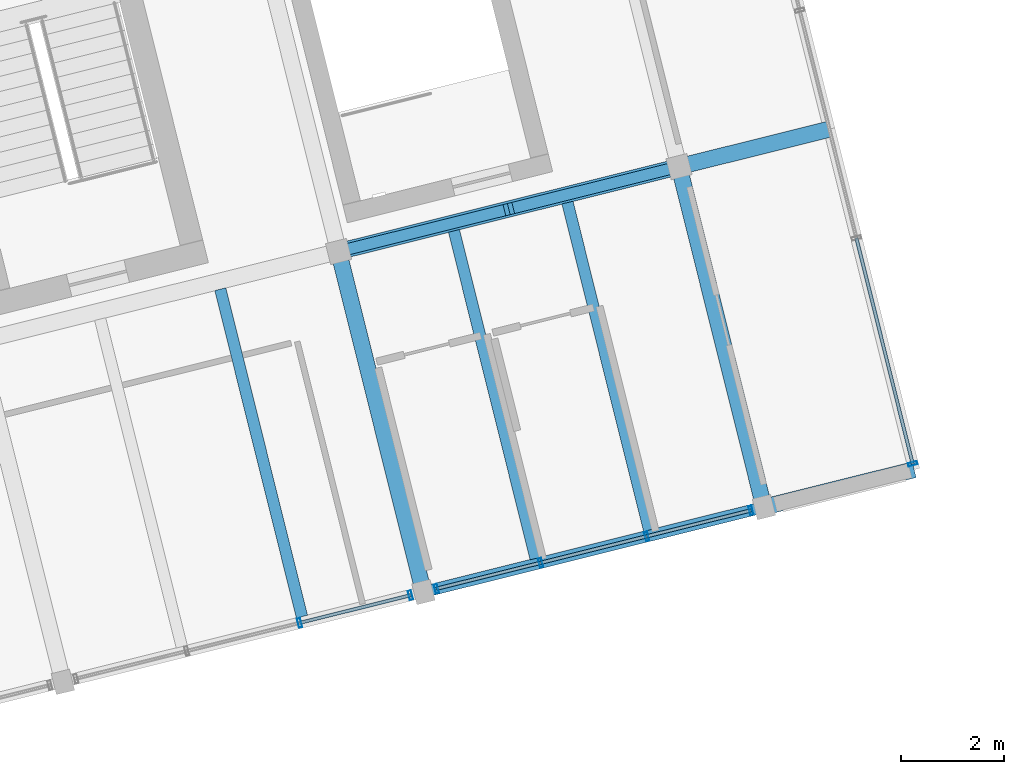
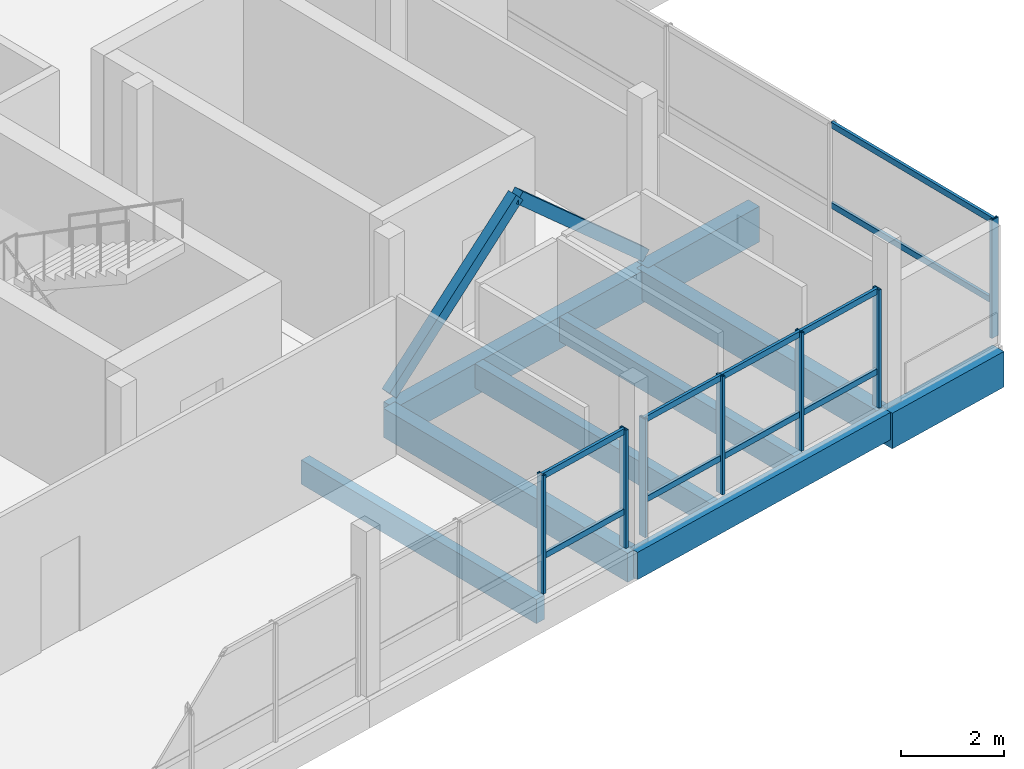
# One storey, part 11 of 28: 19 members, 9 beams, 3 elements without a shape of their own.
"""IFC4 building model written with IfcOpenShell, lengths in metres."""

import ifcopenshell
import ifcopenshell.guid

model = None  # the IFC model being written
_history = None  # IfcOwnerHistory: only IFC2X3 demands one
_inside = {}  # id of a spatial element -> (the spatial element, [elements in it])
_under = {}  # id of a project, library or spatial element -> (it, [spatial elements below it])
_declared = {}  # id of a project -> (the project, [libraries it declares])
_typed = {}  # id of a type object -> (the type object, [elements of that type])
_made_of = {}  # id of a material, layer set ... -> (it, [elements and type objects made of it])


def new_model(schema):
    """Start an empty IFC model of exactly this schema.

    Asked for "IFC4X3", IfcOpenShell would pick the latest addendum, in which some entities
    have other attributes; the version numbers below select the first issue.
    IFC2X3 requires an IfcOwnerHistory on every rooted entity: one is made here for all.
    """
    global model, _history
    if schema == "IFC4X3":
        model = ifcopenshell.file(schema_version=(4, 3, 0, 0))
    else:
        model = ifcopenshell.file(schema=schema)
    _inside.clear()
    _under.clear()
    _declared.clear()
    _typed.clear()
    _made_of.clear()
    _history = None
    if model.schema == "IFC2X3":
        org = make("IfcOrganization", Name="unknown")
        user = make(
            "IfcPersonAndOrganization",
            ThePerson=make("IfcPerson", FamilyName="unknown"),
            TheOrganization=org,
        )
        app = make(
            "IfcApplication",
            ApplicationDeveloper=org,
            Version="unknown",
            ApplicationFullName="unknown",
            ApplicationIdentifier="unknown",
        )
        _history = make(
            "IfcOwnerHistory",
            OwningUser=user,
            OwningApplication=app,
            ChangeAction="ADDED",
            CreationDate=0,
        )
    return model


def make(cls, **values):
    """One entity of the class cls with the attributes given. An attribute that is None is left unset."""
    return model.create_entity(
        cls, **{name: value for name, value in values.items() if value is not None}
    )


def rooted(cls, **values):
    """An entity with a GlobalId (a new one), such as an element, a storey or a relation."""
    return make(cls, GlobalId=ifcopenshell.guid.new(), OwnerHistory=_history, **values)


def si_unit(unit_type, name, prefix=None):
    """IfcSIUnit, for example si_unit("LENGTHUNIT", "METRE", prefix="MILLI")."""
    return make("IfcSIUnit", UnitType=unit_type, Prefix=prefix, Name=name)


def assignment(units):
    """IfcUnitAssignment: the units of a project."""
    return None if units is None else make("IfcUnitAssignment", Units=units)


def point(xyz):
    """IfcCartesianPoint."""
    return None if xyz is None else make("IfcCartesianPoint", Coordinates=xyz)


def direction(xyz):
    """IfcDirection."""
    return None if xyz is None else make("IfcDirection", DirectionRatios=xyz)


def frame(location, z_axis=None, x_axis=None):
    """IfcAxis2Placement3D, a coordinate frame: its origin and axes. An axis left out is left unset."""
    return make(
        "IfcAxis2Placement3D",
        Location=point(location),
        Axis=direction(z_axis),
        RefDirection=direction(x_axis),
    )


def frame_2d(location, x_axis=None):
    """IfcAxis2Placement2D, a coordinate frame in the plane: its origin and x axis."""
    return make(
        "IfcAxis2Placement2D", Location=point(location), RefDirection=direction(x_axis)
    )


def origin():
    """The frame at (0, 0, 0) with its axes left unset."""
    return frame((0.0, 0.0, 0.0))


def origin_2d():
    """The frame at (0, 0) in the plane with its x axis left unset."""
    return frame_2d((0.0, 0.0))


def place(relative_to, where):
    """IfcLocalPlacement: puts the frame where relative to a parent placement (None: the world)."""
    return make(
        "IfcLocalPlacement", PlacementRelTo=relative_to, RelativePlacement=where
    )


def context(
    kind, dimensions, precision=None, world=None, true_north=None, identifier=None
):
    """IfcGeometricRepresentationContext, for example the 3D "Model" context."""
    return make(
        "IfcGeometricRepresentationContext",
        ContextIdentifier=identifier,
        ContextType=kind,
        CoordinateSpaceDimension=dimensions,
        Precision=precision,
        WorldCoordinateSystem=world,
        TrueNorth=true_north,
    )


def subcontext(parent, identifier, kind, view, scale=None):
    """IfcGeometricRepresentationSubContext, for example "Body" below "Model"."""
    return make(
        "IfcGeometricRepresentationSubContext",
        ContextIdentifier=identifier,
        ContextType=kind,
        ParentContext=parent,
        TargetScale=scale,
        TargetView=view,
    )


def project(units=None, contexts=None):
    """IfcProject with its units and contexts."""
    return rooted(
        "IfcProject",
        Name="project",
        RepresentationContexts=contexts,
        UnitsInContext=assignment(units),
    )


def spatial(cls, under=None, at=None, **own):
    """A site, building, storey or space (cls), placed at a placement, below another one or the project."""
    s = rooted(cls, ObjectPlacement=at, **own)
    if under is not None:
        _under.setdefault(under.id(), (under, []))[1].append(s)
    return s


def profile(cls, at=None, kind="AREA", **sizes):
    """A parametric profile (cls). Its sizes go by their IFC names, for example OverallWidth=200.0."""
    return make(cls, ProfileType=kind, Position=at, **sizes)


def rectangle(**sizes):
    """IfcRectangleProfileDef."""
    return profile("IfcRectangleProfileDef", **sizes)


def hollow_rectangle(**sizes):
    """IfcRectangleHollowProfileDef."""
    return profile("IfcRectangleHollowProfileDef", **sizes)


def extrude(swept, where, along, depth):
    """IfcExtrudedAreaSolid: the profile swept, set in the frame where, extruded along a direction by depth."""
    return make(
        "IfcExtrudedAreaSolid",
        SweptArea=swept,
        Position=where,
        ExtrudedDirection=direction(along),
        Depth=depth,
    )


def shape(context_of_items, identifier, shape_type, items):
    """IfcShapeRepresentation: the items that make up one representation, for example the "Body"."""
    return make(
        "IfcShapeRepresentation",
        ContextOfItems=context_of_items,
        RepresentationIdentifier=identifier,
        RepresentationType=shape_type,
        Items=items,
    )


def material(Name=None, Category=None):
    """IfcMaterial."""
    return make("IfcMaterial", Name=Name, Category=Category)


def layer(
    of_material, thickness, ventilated=None, Name=None, Category=None, Priority=None
):
    """IfcMaterialLayer: one layer of a wall or slab, of a material (None: an air gap)."""
    return make(
        "IfcMaterialLayer",
        Material=of_material,
        LayerThickness=thickness,
        IsVentilated=ventilated,
        Name=Name,
        Category=Category,
        Priority=Priority,
    )


def layer_set(layers, Name=None):
    """IfcMaterialLayerSet."""
    return make("IfcMaterialLayerSet", MaterialLayers=layers, LayerSetName=Name)


def material_profile(
    of_material, cross_section, Name=None, Category=None, Priority=None
):
    """IfcMaterialProfile: a cross section and its material."""
    return make(
        "IfcMaterialProfile",
        Name=Name,
        Material=of_material,
        Profile=cross_section,
        Priority=Priority,
        Category=Category,
    )


def profile_set(profiles, Name=None, composite=None):
    """IfcMaterialProfileSet."""
    return make(
        "IfcMaterialProfileSet",
        Name=Name,
        MaterialProfiles=profiles,
        CompositeProfile=composite,
    )


def made_of(thing, what):
    """Note that an element or type object is made of a material, layer set ...; save() writes the relation."""
    if what is not None:
        _made_of.setdefault(what.id(), (what, []))[1].append(thing)
    return thing


def type_object(cls, material=None, **own):
    """A type object (cls), such as IfcWallType, which elements share."""
    return made_of(rooted(cls, **own), material)


def element(
    cls,
    number,
    at=None,
    inside=None,
    cuts=None,
    type_object=None,
    material=None,
    context=None,
    identifier="Body",
    shape_type=None,
    held_by="IfcProductDefinitionShape",
    body=None,
    shapes=None,
    **own,
):
    """One element of the class cls, such as IfcWall. Its Tag is "e" and its number.

    at: its placement. inside: the storey or other place that contains it. cuts: it is an
    opening in that element (IfcRelVoidsElement). A single representation is given by context,
    identifier, shape_type and body (its items); several are given by shapes. held_by: the class
    of the entity that holds the representations. save() writes the other relations.
    """
    e = rooted(cls, Tag="e%d" % number, ObjectPlacement=at, **own)
    if body is not None:
        shapes = [shape(context, identifier, shape_type, body)]
    if shapes is not None:
        e.Representation = make(held_by, Representations=shapes)
    if inside is not None:
        _inside.setdefault(inside.id(), (inside, []))[1].append(e)
    if cuts is not None:
        rooted(
            "IfcRelVoidsElement", RelatingBuildingElement=cuts, RelatedOpeningElement=e
        )
    if type_object is not None:
        _typed.setdefault(type_object.id(), (type_object, []))[1].append(e)
    return made_of(e, material)


def aggregate(whole, parts):
    """IfcRelAggregates: a whole, such as a stair, and the parts it consists of."""
    return rooted("IfcRelAggregates", RelatingObject=whole, RelatedObjects=parts)


def save(model, path):
    """Write the relations noted so far, then the file.

    IfcRelAggregates (storeys below a building ...), IfcRelContainedInSpatialStructure (elements
    in a storey), IfcRelDefinesByType, IfcRelAssociatesMaterial and IfcRelDeclares: one each for
    every whole, place, type object, material and project.
    """
    for whole, parts in _under.values():
        aggregate(whole, parts)
    for where, things in _inside.values():
        rooted(
            "IfcRelContainedInSpatialStructure",
            RelatedElements=things,
            RelatingStructure=where,
        )
    for kind, things in _typed.values():
        rooted("IfcRelDefinesByType", RelatedObjects=things, RelatingType=kind)
    for what, things in _made_of.values():
        rooted("IfcRelAssociatesMaterial", RelatedObjects=things, RelatingMaterial=what)
    for by, libraries in _declared.values():
        rooted("IfcRelDeclares", RelatingContext=by, RelatedDefinitions=libraries)
    model.write(path)


model = new_model("IFC4")

# Units and contexts
model_context = context("Model", 3, precision=1e-05, world=origin(), true_north=direction((0.0, 1.0)))
body_context = subcontext(model_context, "Body", "Model", "MODEL_VIEW")
ifc_project = project(units=[si_unit("LENGTHUNIT", "METRE"), si_unit("AREAUNIT", "SQUARE_METRE"), si_unit("VOLUMEUNIT", "CUBIC_METRE"), si_unit("PLANEANGLEUNIT", "RADIAN"), si_unit("MASSUNIT", "GRAM", prefix="KILO")], contexts=[model_context])

# Site, building, storey
site_placement = place(None, origin())
site = spatial("IfcSite", under=ifc_project, at=site_placement, CompositionType="ELEMENT")
building_placement = place(site_placement, origin())
building = spatial("IfcBuilding", under=site, at=building_placement, Name="Meriwether Solvik Hall", CompositionType="ELEMENT")
storey_placement = place(building_placement, frame((0.0, 0.0, 30.0)))
storey = spatial("IfcBuildingStorey", under=building, at=storey_placement, Name="L07", CompositionType="ELEMENT", Elevation=30.0)

# Beams
ifc_material_1 = material(Name="Glulam Douglas-Fir 24F-V8 GL28h", Category="wood")
ifc_material_profile_1 = material_profile(ifc_material_1, rectangle(XDim=0.221923828125, YDim=0.64501953125, at=origin_2d()), Name="GLB-222X645")
ifc_profile_set_1 = profile_set([ifc_material_profile_1], Name="Glulam Douglas-Fir 24F-V8 GL28h")
beam_type_1 = type_object("IfcBeamType", Name="BM-GL-222X645", PredefinedType="SPANDREL", material=ifc_profile_set_1)
beam_1_placement = place(storey_placement, frame((96.9326171875, 48.26416015625, -0.54248046875), z_axis=(0.970298579828, 0.24191045034, 0.0), x_axis=(-0.24191045034, 0.970298579828, 0.0)))
element("IfcBeam", 1, at=beam_1_placement, inside=storey, type_object=beam_type_1, Name="Tower Girder TA:T5-T6 (L07)", PredefinedType="SPANDREL", context=body_context, shape_type="SweptSolid", body=[
    extrude(rectangle(XDim=0.221923828125, YDim=0.64501953125, at=origin_2d()), origin(), (0.0, 0.0, 1.0), 6.800048828125),
])
ifc_material_2 = material(Name="Glulam Douglas-Fir 24F-V8 GL28h", Category="wood")
ifc_material_profile_2 = material_profile(ifc_material_2, rectangle(XDim=0.31494140625, YDim=0.68505859375, at=origin_2d()), Name="GLB-315X685")
ifc_profile_set_2 = profile_set([ifc_material_profile_2], Name="Glulam Douglas-Fir 24F-V8 GL28h")
beam_type_2 = type_object("IfcBeamType", Name="BM-GL-315X685", PredefinedType="BEAM", material=ifc_profile_set_2)
beam_2_placement = place(storey_placement, frame((96.9326171875, 48.26416015625, -0.5625), z_axis=(-0.241918877831, 0.970296478685, 0.0), x_axis=(-0.970296478685, -0.241918877831, 0.0)))
element("IfcBeam", 2, at=beam_2_placement, inside=storey, type_object=beam_type_2, Name="Tower Girder T5:TA-TB (L07)", PredefinedType="BEAM", context=body_context, shape_type="SweptSolid", body=[
    extrude(rectangle(XDim=0.31494140625, YDim=0.68505859375, at=origin_2d()), origin(), (0.0, 0.0, 1.0), 6.7998046875),
])
beam_3_placement = place(storey_placement, frame((103.53076171875, 49.9091796875, -0.5625), z_axis=(-0.2419526798, 0.970288050394, 0.0), x_axis=(-0.970288050394, -0.2419526798, 0.0)))
element("IfcBeam", 3, at=beam_3_placement, inside=storey, type_object=beam_type_2, Name="Tower Girder T6:TA-TB (L07)", PredefinedType="BEAM", context=body_context, shape_type="SweptSolid", body=[
    extrude(rectangle(XDim=0.31494140625, YDim=0.68505859375, at=origin_2d()), origin(), (0.0, 0.0, 1.0), 6.800048828125),
])
ifc_material_3 = material(Name="Glulam Douglas-Fir 24F-V8 GL28h", Category="wood")
ifc_material_profile_3 = material_profile(ifc_material_3, rectangle(XDim=0.31494140625, YDim=0.760009765625, at=origin_2d()), Name="GLB-315X760")
ifc_profile_set_3 = profile_set([ifc_material_profile_3], Name="Glulam Douglas-Fir 24F-V8 GL28h")
beam_type_3 = type_object("IfcBeamType", Name="BM-GL-315X760", PredefinedType="BEAM", material=ifc_profile_set_3)
beam_4_placement = place(storey_placement, frame((95.28759765625, 54.862060546875, -0.60009765625), z_axis=(0.970296478685, 0.241918877831, 0.0), x_axis=(-0.241918877831, 0.970296478685, 0.0)))
element("IfcBeam", 4, at=beam_4_placement, inside=storey, type_object=beam_type_3, Name="Tower Girder TB:T5-T6 (L07)", PredefinedType="BEAM", context=body_context, shape_type="SweptSolid", body=[
    extrude(rectangle(XDim=0.31494140625, YDim=0.760009765625, at=origin_2d()), origin(), (0.0, 0.0, 1.0), 6.7998046875),
])

# Curtain wall, members
ifc_material_4 = material(Name="Thermally Broken Anodised Aluminium 6063-T6 and Low-E Glass", Category="aluminium")
ifc_layer_1 = layer(ifc_material_4, 0.179931640625)
ifc_layer_set_1 = layer_set([ifc_layer_1], Name="Thermally Broken Anodised Aluminium 6063-T6 and Low-E Glass")
curtain_wall_type_1 = type_object("IfcCurtainWallType", Name="CW-UNIT-A", PredefinedType="USERDEFINED", material=ifc_layer_set_1)
curtain_wall_1_placement = place(storey_placement, origin())
curtain_wall_1 = element("IfcCurtainWall", 5, at=curtain_wall_1_placement, inside=storey, type_object=curtain_wall_type_1, Name="Curtain Wall E0_B3 (L07)", ObjectType="UNITISED CURTAIN WALL", PredefinedType="USERDEFINED")
ifc_material_5 = material(Name="Anodised Aluminium 6063-T6", Category="aluminium")
ifc_material_profile_4 = material_profile(ifc_material_5, hollow_rectangle(XDim=0.06494140625, YDim=0.179931640625, WallThickness=0.00439453125, at=origin_2d()), Name="CWM-65X180")
ifc_profile_set_4 = profile_set([ifc_material_profile_4], Name="Anodised Aluminium 6063-T6")
member_type_1 = type_object("IfcMemberType", Name="CW-MUL-65X180", PredefinedType="MULLION", material=ifc_profile_set_4)
member_1_placement = place(storey_placement, frame((96.680419921875, 48.201171875, 0.0), z_axis=(0.0, 0.0, 1.0), x_axis=(-0.970295703518, -0.241921986879, 0.0)))
member_1 = element("IfcMember", 6, at=member_1_placement, type_object=member_type_1, Name="Curtain Wall Mullion 1", PredefinedType="MULLION", context=body_context, shape_type="SweptSolid", body=[
    extrude(hollow_rectangle(XDim=0.06494140625, YDim=0.179931640625, WallThickness=0.00439453125, at=origin_2d()), origin(), (0.0, 0.0, 1.0), 2.7900390625),
])
member_2_placement = place(storey_placement, frame((94.5322265625, 47.66552734375, 0.0), z_axis=(0.0, 0.0, 1.0), x_axis=(-0.970295703518, -0.241921986879, 0.0)))
member_2 = element("IfcMember", 7, at=member_2_placement, type_object=member_type_1, Name="Curtain Wall Mullion 2", PredefinedType="MULLION", context=body_context, shape_type="SweptSolid", body=[
    extrude(hollow_rectangle(XDim=0.06494140625, YDim=0.179931640625, WallThickness=0.00439453125, at=origin_2d()), origin(), (0.0, 0.0, 1.0), 2.7900390625),
])

ifc_material_6 = material(Name="Thermally Broken Anodised Aluminium 6063-T6 and Low-E Glass", Category="aluminium")
ifc_layer_2 = layer(ifc_material_6, 0.179931640625)
ifc_layer_set_2 = layer_set([ifc_layer_2], Name="Thermally Broken Anodised Aluminium 6063-T6 and Low-E Glass")
curtain_wall_type_2 = type_object("IfcCurtainWallType", Name="CW-UNIT-B", PredefinedType="USERDEFINED", material=ifc_layer_set_2)
curtain_wall_2_placement = place(storey_placement, origin())
curtain_wall_2 = element("IfcCurtainWall", 8, at=curtain_wall_2_placement, inside=storey, type_object=curtain_wall_type_2, Name="Curtain Wall E0_B4 (L07)", ObjectType="UNITISED CURTAIN WALL", PredefinedType="USERDEFINED")
member_3_placement = place(storey_placement, frame((103.2783203125, 49.84619140625, 0.0), z_axis=(0.0, 0.0, 1.0), x_axis=(-0.97029570448, -0.241921983017, 0.0)))
member_3 = element("IfcMember", 9, at=member_3_placement, type_object=member_type_1, Name="Curtain Wall Mullion 1", PredefinedType="MULLION", context=body_context, shape_type="SweptSolid", body=[
    extrude(hollow_rectangle(XDim=0.06494140625, YDim=0.179931640625, WallThickness=0.00439453125, at=origin_2d()), origin(), (0.0, 0.0, 1.0), 2.7900390625),
])
member_4_placement = place(storey_placement, frame((101.259521484375, 49.343017578125, 0.0), z_axis=(0.0, 0.0, 1.0), x_axis=(-0.97029570448, -0.241921983017, 0.0)))
member_4 = element("IfcMember", 10, at=member_4_placement, type_object=member_type_1, Name="Curtain Wall Mullion 2", PredefinedType="MULLION", context=body_context, shape_type="SweptSolid", body=[
    extrude(hollow_rectangle(XDim=0.06494140625, YDim=0.179931640625, WallThickness=0.00439453125, at=origin_2d()), origin(), (0.0, 0.0, 1.0), 2.7900390625),
])
member_5_placement = place(storey_placement, frame((99.203857421875, 48.830322265625, 0.0), z_axis=(0.0, 0.0, 1.0), x_axis=(-0.97029570448, -0.241921983017, 0.0)))
member_5 = element("IfcMember", 11, at=member_5_placement, type_object=member_type_1, Name="Curtain Wall Mullion 3", PredefinedType="MULLION", context=body_context, shape_type="SweptSolid", body=[
    extrude(hollow_rectangle(XDim=0.06494140625, YDim=0.179931640625, WallThickness=0.00439453125, at=origin_2d()), origin(), (0.0, 0.0, 1.0), 2.7900390625),
])
member_6_placement = place(storey_placement, frame((97.184814453125, 48.326904296875, 0.0), z_axis=(0.0, 0.0, 1.0), x_axis=(-0.97029570448, -0.241921983017, 0.0)))
member_6 = element("IfcMember", 12, at=member_6_placement, type_object=member_type_1, Name="Curtain Wall Mullion 4", PredefinedType="MULLION", context=body_context, shape_type="SweptSolid", body=[
    extrude(hollow_rectangle(XDim=0.06494140625, YDim=0.179931640625, WallThickness=0.00439453125, at=origin_2d()), origin(), (0.0, 0.0, 1.0), 2.7900390625),
])

# Curtain wall, member
ifc_material_7 = material(Name="Thermally Broken Anodised Aluminium 6063-T6 and Low-E Glass", Category="aluminium")
ifc_layer_3 = layer(ifc_material_7, 0.179931640625)
ifc_layer_set_3 = layer_set([ifc_layer_3], Name="Thermally Broken Anodised Aluminium 6063-T6 and Low-E Glass")
curtain_wall_type_3 = type_object("IfcCurtainWallType", Name="CW-UNIT-F", PredefinedType="USERDEFINED", material=ifc_layer_set_3)
curtain_wall_3_placement = place(storey_placement, origin())
curtain_wall_3 = element("IfcCurtainWall", 13, at=curtain_wall_3_placement, inside=storey, type_object=curtain_wall_type_3, Name="Curtain Wall E1_B0 (L07)", ObjectType="UNITISED CURTAIN WALL", PredefinedType="USERDEFINED")
member_7_placement = place(storey_placement, frame((106.4130859375, 50.74951171875, 0.0), z_axis=(0.0, 0.0, 1.0), x_axis=(0.241921931502, -0.970295717325, 0.0)))
member_7 = element("IfcMember", 14, at=member_7_placement, type_object=member_type_1, Name="Curtain Wall Mullion 4", PredefinedType="MULLION", context=body_context, shape_type="SweptSolid", body=[
    extrude(hollow_rectangle(XDim=0.06494140625, YDim=0.179931640625, WallThickness=0.00439453125, at=origin_2d()), origin(), (0.0, 0.0, 1.0), 2.7900390625),
])

# Member
ifc_material_8 = material(Name="Anodised Aluminium 6063-T6", Category="aluminium")
ifc_material_profile_5 = material_profile(ifc_material_8, hollow_rectangle(XDim=0.06494140625, YDim=0.139892578125, WallThickness=0.00439453125, at=origin_2d()), Name="CWT-65X140")
ifc_profile_set_5 = profile_set([ifc_material_profile_5], Name="Anodised Aluminium 6063-T6")
member_type_2 = type_object("IfcMemberType", Name="CW-TRN-65X140", PredefinedType="USERDEFINED", material=ifc_profile_set_5)
member_8_placement = place(storey_placement, frame((96.680419921875, 48.201171875, 0.8369140625), z_axis=(-0.970291509385, -0.241938808, 0.0), x_axis=(0.241938808, -0.970291509385, 0.0)))
member_8 = element("IfcMember", 15, at=member_8_placement, type_object=member_type_2, Name="Curtain Wall Transom 1-sill", ObjectType="TRANSOM", PredefinedType="USERDEFINED", context=body_context, shape_type="SweptSolid", body=[
    extrude(hollow_rectangle(XDim=0.06494140625, YDim=0.139892578125, WallThickness=0.00439453125, at=origin_2d()), origin(), (0.0, 0.0, 1.0), 2.2138671875),
])

member_9_placement = place(storey_placement, frame((96.680419921875, 48.201171875, 2.72998046875), z_axis=(-0.970291509385, -0.241938808, 0.0), x_axis=(0.241938808, -0.970291509385, 0.0)))
member_9 = element("IfcMember", 16, at=member_9_placement, type_object=member_type_2, Name="Curtain Wall Transom 1-head", ObjectType="TRANSOM", PredefinedType="USERDEFINED", context=body_context, shape_type="SweptSolid", body=[
    extrude(hollow_rectangle(XDim=0.06494140625, YDim=0.139892578125, WallThickness=0.00439453125, at=origin_2d()), origin(), (0.0, 0.0, 1.0), 2.2138671875),
])

aggregate(curtain_wall_1, [member_1, member_2, member_8, member_9])

member_10_placement = place(storey_placement, frame((103.2783203125, 49.84619140625, 0.8369140625), z_axis=(-0.970314818809, -0.241845306756, 0.0), x_axis=(0.241845306756, -0.970314818809, 0.0)))
member_10 = element("IfcMember", 17, at=member_10_placement, type_object=member_type_2, Name="Curtain Wall Transom 1-sill", ObjectType="TRANSOM", PredefinedType="USERDEFINED", context=body_context, shape_type="SweptSolid", body=[
    extrude(hollow_rectangle(XDim=0.06494140625, YDim=0.139892578125, WallThickness=0.00439453125, at=origin_2d()), origin(), (0.0, 0.0, 1.0), 2.08056640625),
])

member_11_placement = place(storey_placement, frame((103.2783203125, 49.84619140625, 2.72998046875), z_axis=(-0.970314818809, -0.241845306756, 0.0), x_axis=(0.241845306756, -0.970314818809, 0.0)))
member_11 = element("IfcMember", 18, at=member_11_placement, type_object=member_type_2, Name="Curtain Wall Transom 1-head", ObjectType="TRANSOM", PredefinedType="USERDEFINED", context=body_context, shape_type="SweptSolid", body=[
    extrude(hollow_rectangle(XDim=0.06494140625, YDim=0.139892578125, WallThickness=0.00439453125, at=origin_2d()), origin(), (0.0, 0.0, 1.0), 2.08056640625),
])

member_12_placement = place(storey_placement, frame((101.259521484375, 49.343017578125, 0.8369140625), z_axis=(-0.970277919064, -0.24199330523, 0.0), x_axis=(0.24199330523, -0.970277919064, 0.0)))
member_12 = element("IfcMember", 19, at=member_12_placement, type_object=member_type_2, Name="Curtain Wall Transom 2-sill", ObjectType="TRANSOM", PredefinedType="USERDEFINED", context=body_context, shape_type="SweptSolid", body=[
    extrude(hollow_rectangle(XDim=0.06494140625, YDim=0.139892578125, WallThickness=0.00439453125, at=origin_2d()), origin(), (0.0, 0.0, 1.0), 2.11865234375),
])

member_13_placement = place(storey_placement, frame((101.259521484375, 49.343017578125, 2.72998046875), z_axis=(-0.970277919064, -0.24199330523, 0.0), x_axis=(0.24199330523, -0.970277919064, 0.0)))
member_13 = element("IfcMember", 20, at=member_13_placement, type_object=member_type_2, Name="Curtain Wall Transom 2-head", ObjectType="TRANSOM", PredefinedType="USERDEFINED", context=body_context, shape_type="SweptSolid", body=[
    extrude(hollow_rectangle(XDim=0.06494140625, YDim=0.139892578125, WallThickness=0.00439453125, at=origin_2d()), origin(), (0.0, 0.0, 1.0), 2.11865234375),
])

member_14_placement = place(storey_placement, frame((99.203857421875, 48.830322265625, 0.8369140625), z_axis=(-0.970294144957, -0.241928237836, 0.0), x_axis=(0.241928237836, -0.970294144957, 0.0)))
member_14 = element("IfcMember", 21, at=member_14_placement, type_object=member_type_2, Name="Curtain Wall Transom 3-sill", ObjectType="TRANSOM", PredefinedType="USERDEFINED", context=body_context, shape_type="SweptSolid", body=[
    extrude(hollow_rectangle(XDim=0.06494140625, YDim=0.139892578125, WallThickness=0.00439453125, at=origin_2d()), origin(), (0.0, 0.0, 1.0), 2.080810546875),
])

member_15_placement = place(storey_placement, frame((99.203857421875, 48.830322265625, 2.72998046875), z_axis=(-0.970294144957, -0.241928237836, 0.0), x_axis=(0.241928237836, -0.970294144957, 0.0)))
member_15 = element("IfcMember", 22, at=member_15_placement, type_object=member_type_2, Name="Curtain Wall Transom 3-head", ObjectType="TRANSOM", PredefinedType="USERDEFINED", context=body_context, shape_type="SweptSolid", body=[
    extrude(hollow_rectangle(XDim=0.06494140625, YDim=0.139892578125, WallThickness=0.00439453125, at=origin_2d()), origin(), (0.0, 0.0, 1.0), 2.080810546875),
])

aggregate(curtain_wall_2, [member_3, member_4, member_5, member_6, member_10, member_11, member_12, member_13, member_14, member_15])

member_16_placement = place(storey_placement, frame((105.322265625, 55.124267578125, 0.8369140625), z_axis=(0.241936757011, -0.970292020789, 0.0), x_axis=(0.970292020789, 0.241936757011, 0.0)))
member_16 = element("IfcMember", 23, at=member_16_placement, type_object=member_type_2, Name="Curtain Wall Transom 3-sill", ObjectType="TRANSOM", PredefinedType="USERDEFINED", context=body_context, shape_type="SweptSolid", body=[
    extrude(hollow_rectangle(XDim=0.06494140625, YDim=0.139892578125, WallThickness=0.00439453125, at=origin_2d()), origin(), (0.0, 0.0, 1.0), 4.5087890625),
])

member_17_placement = place(storey_placement, frame((105.322265625, 55.124267578125, 2.72998046875), z_axis=(0.241936757011, -0.970292020789, 0.0), x_axis=(0.970292020789, 0.241936757011, 0.0)))
member_17 = element("IfcMember", 24, at=member_17_placement, type_object=member_type_2, Name="Curtain Wall Transom 3-head", ObjectType="TRANSOM", PredefinedType="USERDEFINED", context=body_context, shape_type="SweptSolid", body=[
    extrude(hollow_rectangle(XDim=0.06494140625, YDim=0.139892578125, WallThickness=0.00439453125, at=origin_2d()), origin(), (0.0, 0.0, 1.0), 4.5087890625),
])

aggregate(curtain_wall_3, [member_7, member_16, member_17])

# Beams
ifc_material_9 = material(Name="Glulam Douglas-Fir 24F-V8 GL28h", Category="wood")
ifc_material_profile_6 = material_profile(ifc_material_9, rectangle(XDim=0.31494140625, YDim=0.840087890625, at=origin_2d()), Name="GLB-315X840")
ifc_profile_set_6 = profile_set([ifc_material_profile_6], Name="Glulam Douglas-Fir 24F-V8 GL28h")
beam_type_4 = type_object("IfcBeamType", Name="GL-CANT-315X840", PredefinedType="BEAM", material=ifc_profile_set_6)
for number, where, z_axis, x_axis, name in (
    (25, (103.53076171875, 49.9091796875, -0.639892578125), (0.970290716908, 0.241941986192, 0.0), (-0.241941986192, 0.970290716908, 0.0), "Shard Cantilever Girder TA (L07)"),
    (26, (101.885498046875, 56.507080078125, -0.639892578125), (0.970290716908, 0.241941986192, 0.0), (-0.241941986192, 0.970290716908, 0.0), "Shard Cantilever Girder TB (L07)"),
):
    element("IfcBeam", number, at=place(storey_placement, frame(where, z_axis=z_axis, x_axis=x_axis)), inside=storey, type_object=beam_type_4, Name=name, PredefinedType="BEAM", context=body_context, shape_type="SweptSolid", body=[
        extrude(rectangle(XDim=0.31494140625, YDim=0.840087890625, at=origin_2d()), origin(), (0.0, 0.0, 1.0), 3.0),
    ])
ifc_material_10 = material(Name="Glulam Douglas-Fir 24F-V8 GL28h", Category="wood")
ifc_material_profile_7 = material_profile(ifc_material_10, rectangle(XDim=0.221923828125, YDim=0.570068359375, at=origin_2d()), Name="GLJ-222X570")
ifc_profile_set_7 = profile_set([ifc_material_profile_7], Name="Glulam Douglas-Fir 24F-V8 GL28h")
beam_type_5 = type_object("IfcBeamType", Name="JST-GL-222X570", PredefinedType="JOIST", material=ifc_profile_set_7)
for number, where, z_axis, x_axis, name in (
    (27, (94.578369140625, 47.786376953125, -0.5048828125), (-0.241920861923, 0.970295984, 0.0), (-0.970295984, -0.241920861923, 0.0), "Glulam Floor Joist T4/TA-J2 (L07)"),
    (28, (99.1064453125, 48.915283203125, -0.5048828125), (-0.241920861923, 0.970295984, 0.0), (-0.970295984, -0.241920861923, 0.0), "Glulam Floor Joist T5/TA-J1 (L07)"),
    (29, (101.3056640625, 49.463623046875, -0.5048828125), (-0.241920861923, 0.970295984, 0.0), (-0.970295984, -0.241920861923, 0.0), "Glulam Floor Joist T5/TA-J2 (L07)"),
):
    element("IfcBeam", number, at=place(storey_placement, frame(where, z_axis=z_axis, x_axis=x_axis)), inside=storey, type_object=beam_type_5, Name=name, PredefinedType="JOIST", context=body_context, shape_type="SweptSolid", body=[
        extrude(rectangle(XDim=0.221923828125, YDim=0.570068359375, at=origin_2d()), origin(), (0.0, 0.0, 1.0), 6.54150390625),
    ])

# Members
ifc_material_11 = material(Name="Glulam Douglas-Fir 24F-V8 GL28h", Category="wood")
ifc_material_profile_8 = material_profile(ifc_material_11, rectangle(XDim=0.221923828125, YDim=0.26708984375, at=origin_2d()), Name="GLM-222X267")
ifc_profile_set_8 = profile_set([ifc_material_profile_8], Name="Glulam Douglas-Fir 24F-V8 GL28h")
member_type_3 = type_object("IfcMemberType", Name="MEM-BR-GL222", PredefinedType="BRACE", material=ifc_profile_set_8)
for number, where, z_axis, x_axis, name in (
    (30, (95.28759765625, 54.862060546875, 0.050048828125), (0.724931924359, 0.180736746331, 0.664686342248), (-0.24191045034, 0.970298579828, 0.0), "Tower Chevron Brace L07-B3A"),
    (31, (101.885498046875, 56.507080078125, 0.050048828125), (-0.724906468782, -0.180743775409, 0.664712192733), (0.241927305891, -0.970294377323, 0.0), "Tower Chevron Brace L07-B3B"),
):
    element("IfcMember", number, at=place(storey_placement, frame(where, z_axis=z_axis, x_axis=x_axis)), inside=storey, type_object=member_type_3, Name=name, PredefinedType="BRACE", context=body_context, shape_type="SweptSolid", body=[
        extrude(rectangle(XDim=0.221923828125, YDim=0.26708984375, at=origin_2d()), origin(), (0.0, 0.0, 1.0), 4.55078125),
    ])

save(model, "model.ifc")
